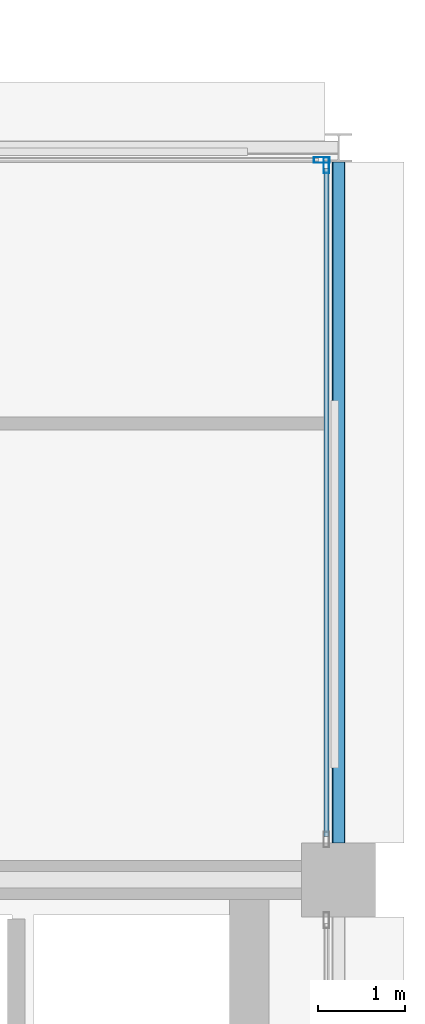
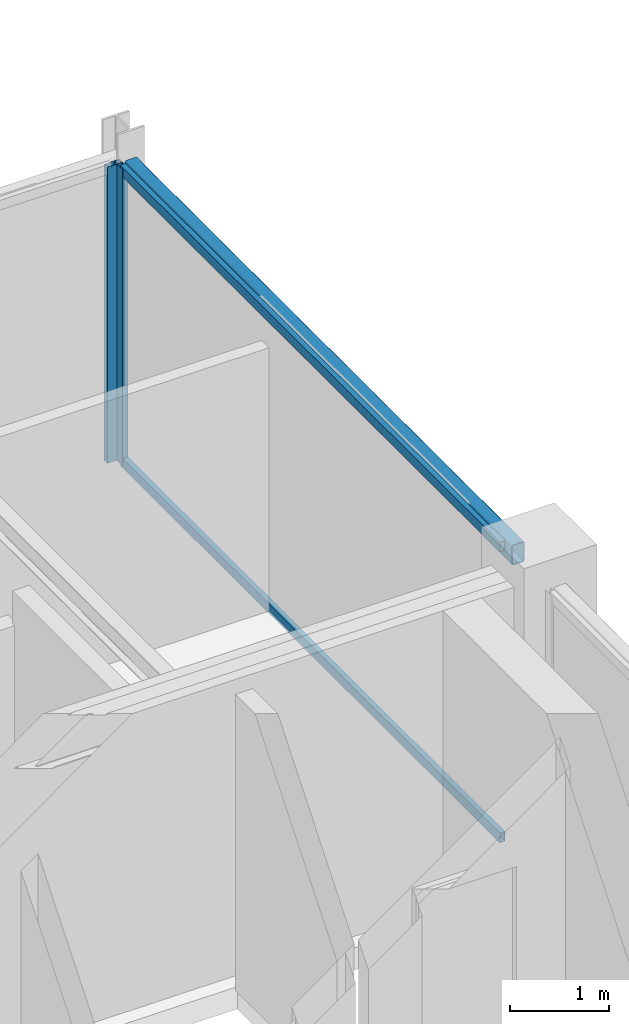
# One storey, part 15 of 25: 4 members, 1 beam, 2 elements without a shape of their own.
"""IFC4 building model written with IfcOpenShell, lengths in metres."""

from ifc_helpers import new_model, si_unit, direction, frame, origin, origin_2d, place, context, subcontext, project, spatial, hollow_rectangle, extrude, material, layer, layer_set, material_profile, profile_set, type_object, element, aggregate, save


model = new_model("IFC4")

# Units and contexts
model_context = context("Model", 3, precision=1e-05, world=origin(), true_north=direction((0.0, 1.0)))
body_context = subcontext(model_context, "Body", "Model", "MODEL_VIEW")
ifc_project = project(units=[si_unit("LENGTHUNIT", "METRE"), si_unit("AREAUNIT", "SQUARE_METRE"), si_unit("VOLUMEUNIT", "CUBIC_METRE"), si_unit("PLANEANGLEUNIT", "RADIAN"), si_unit("MASSUNIT", "GRAM", prefix="KILO")], contexts=[model_context])

# Site, building, storey
site_placement = place(None, origin())
site = spatial("IfcSite", under=ifc_project, at=site_placement, CompositionType="ELEMENT")
building_placement = place(site_placement, origin())
building = spatial("IfcBuilding", under=site, at=building_placement, Name="Nerrivon Quay Data Exchange", CompositionType="ELEMENT")
storey_placement = place(building_placement, frame((0.0, 0.0, 318.199951171875)))
storey = spatial("IfcBuildingStorey", under=building, at=storey_placement, Name="L76", CompositionType="ELEMENT", Elevation=318.199951171875)

# Beam
ifc_material_1 = material(Name="Steel Grade C350L0 (350 MPa)", Category="steel")
ifc_material_profile_1 = material_profile(ifc_material_1, hollow_rectangle(XDim=0.14990234375, YDim=0.25, WallThickness=0.009033203125, InnerFilletRadius=0.013427734375, OuterFilletRadius=0.0224609375, at=origin_2d()), Name="250x150x9.0RHS")
ifc_profile_set_1 = profile_set([ifc_material_profile_1], Name="Steel Grade C350L0 (350 MPa)")
beam_type = type_object("IfcBeamType", Name="BM-SP4-250x150RHS", PredefinedType="SPANDREL", material=ifc_profile_set_1)
beam_placement = place(storey_placement, frame((33.60009765625, 17.22509765625, 3.525146484375), z_axis=(0.0, 1.0, 0.0), x_axis=(-1.0, 0.0, 0.0)))
element("IfcBeam", 1, at=beam_placement, inside=storey, type_object=beam_type, Name="L76 NS Girder X=33.6 (16.8..25.2)", PredefinedType="SPANDREL", context=body_context, shape_type="SweptSolid", body=[
    extrude(hollow_rectangle(XDim=0.14990234375, YDim=0.25, WallThickness=0.009033203125, InnerFilletRadius=0.013427734375, OuterFilletRadius=0.0224609375, at=origin_2d()), origin(), (0.0, 0.0, 1.0), 7.8115234375),
])

# Curtain wall, member
ifc_material_2 = material(Name="Anodised aluminium 6063-T6", Category="aluminium")
ifc_layer = layer(ifc_material_2, 0.195068359375)
ifc_layer_set = layer_set([ifc_layer], Name="Anodised aluminium 6063-T6")
curtain_wall_type = type_object("IfcCurtainWallType", Name="CW-SYS-06", PredefinedType="NOTDEFINED", material=ifc_layer_set)
curtain_wall_1_placement = place(storey_placement, origin())
curtain_wall_1 = element("IfcCurtainWall", 2, at=curtain_wall_1_placement, inside=storey, type_object=curtain_wall_type, Name="L76 Unitised Curtain Wall 21", PredefinedType="NOTDEFINED")
ifc_material_profile_2 = material_profile(ifc_material_2, hollow_rectangle(XDim=0.06494140625, YDim=0.179931640625, WallThickness=0.00341796875, at=origin_2d()), Name="ALU-MULL-180x65")
ifc_profile_set_2 = profile_set([ifc_material_profile_2], Name="Anodised aluminium 6063-T6")
member_type_1 = type_object("IfcMemberType", Name="CWM-180x65", PredefinedType="MULLION", material=ifc_profile_set_2)
member_1_placement = place(storey_placement, frame((33.406982421875, 25.06005859375, 0.0), z_axis=(0.0, 0.0, 1.0), x_axis=(0.0, 1.0, 0.0)))
member_1 = element("IfcMember", 3, at=member_1_placement, type_object=member_type_1, Name="CW06 mullion 2", PredefinedType="MULLION", context=body_context, shape_type="SweptSolid", body=[
    extrude(hollow_rectangle(XDim=0.06494140625, YDim=0.179931640625, WallThickness=0.00341796875, at=origin_2d()), origin(), (0.0, 0.0, 1.0), 3.650146484375),
])
aggregate(curtain_wall_1, [member_1])

# Curtain wall, members
curtain_wall_2_placement = place(storey_placement, origin())
curtain_wall_2 = element("IfcCurtainWall", 4, at=curtain_wall_2_placement, inside=storey, type_object=curtain_wall_type, Name="L76 Unitised Curtain Wall 22", PredefinedType="NOTDEFINED")
member_2_placement = place(storey_placement, frame((33.4599609375, 24.9990234375, 0.0), z_axis=(0.0, 0.0, 1.0), x_axis=(1.0, 0.0, 0.0)))
member_2 = element("IfcMember", 5, at=member_2_placement, type_object=member_type_1, Name="CW06 mullion 1", PredefinedType="MULLION", context=body_context, shape_type="SweptSolid", body=[
    extrude(hollow_rectangle(XDim=0.06494140625, YDim=0.179931640625, WallThickness=0.00341796875, at=origin_2d()), origin(), (0.0, 0.0, 1.0), 3.650146484375),
])
ifc_material_profile_3 = material_profile(ifc_material_2, hollow_rectangle(XDim=0.06005859375, YDim=0.1201171875, WallThickness=0.003173828125, at=origin_2d()), Name="ALU-TRAN-120x60")
ifc_profile_set_3 = profile_set([ifc_material_profile_3], Name="Anodised aluminium 6063-T6")
member_type_2 = type_object("IfcMemberType", Name="CWT-120x60", PredefinedType="USERDEFINED", material=ifc_profile_set_3)
member_3_placement = place(storey_placement, frame((33.4599609375, 24.96142578125, 0.032470703125), z_axis=(0.0, -1.0, 0.0), x_axis=(1.0, 0.0, 0.0)))
member_3 = element("IfcMember", 6, at=member_3_placement, type_object=member_type_2, Name="CW06 transom 1.1", ObjectType="TRANSOM", PredefinedType="USERDEFINED", context=body_context, shape_type="SweptSolid", body=[
    extrude(hollow_rectangle(XDim=0.06005859375, YDim=0.1201171875, WallThickness=0.003173828125, at=origin_2d()), origin(), (0.0, 0.0, 1.0), 7.661376953125),
])
member_4_placement = place(storey_placement, frame((33.4599609375, 24.96142578125, 3.617431640625), z_axis=(0.0, -1.0, 0.0), x_axis=(1.0, 0.0, 0.0)))
member_4 = element("IfcMember", 7, at=member_4_placement, type_object=member_type_2, Name="CW06 transom 1.2", ObjectType="TRANSOM", PredefinedType="USERDEFINED", context=body_context, shape_type="SweptSolid", body=[
    extrude(hollow_rectangle(XDim=0.06005859375, YDim=0.1201171875, WallThickness=0.003173828125, at=origin_2d()), origin(), (0.0, 0.0, 1.0), 7.661376953125),
])
aggregate(curtain_wall_2, [member_2, member_3, member_4])

save(model, "model.ifc")
